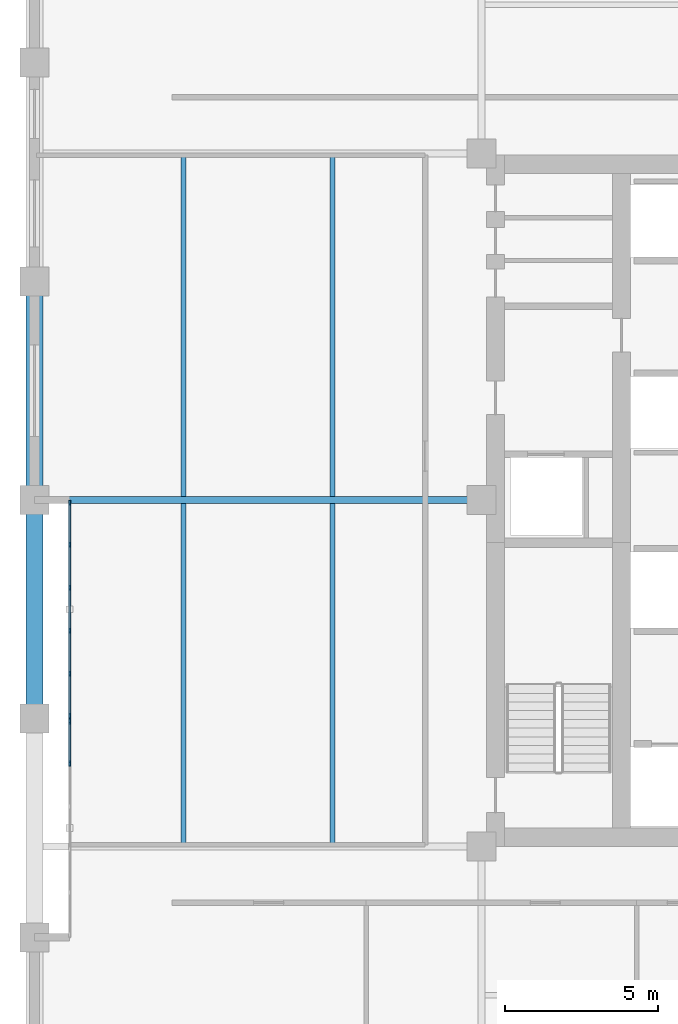
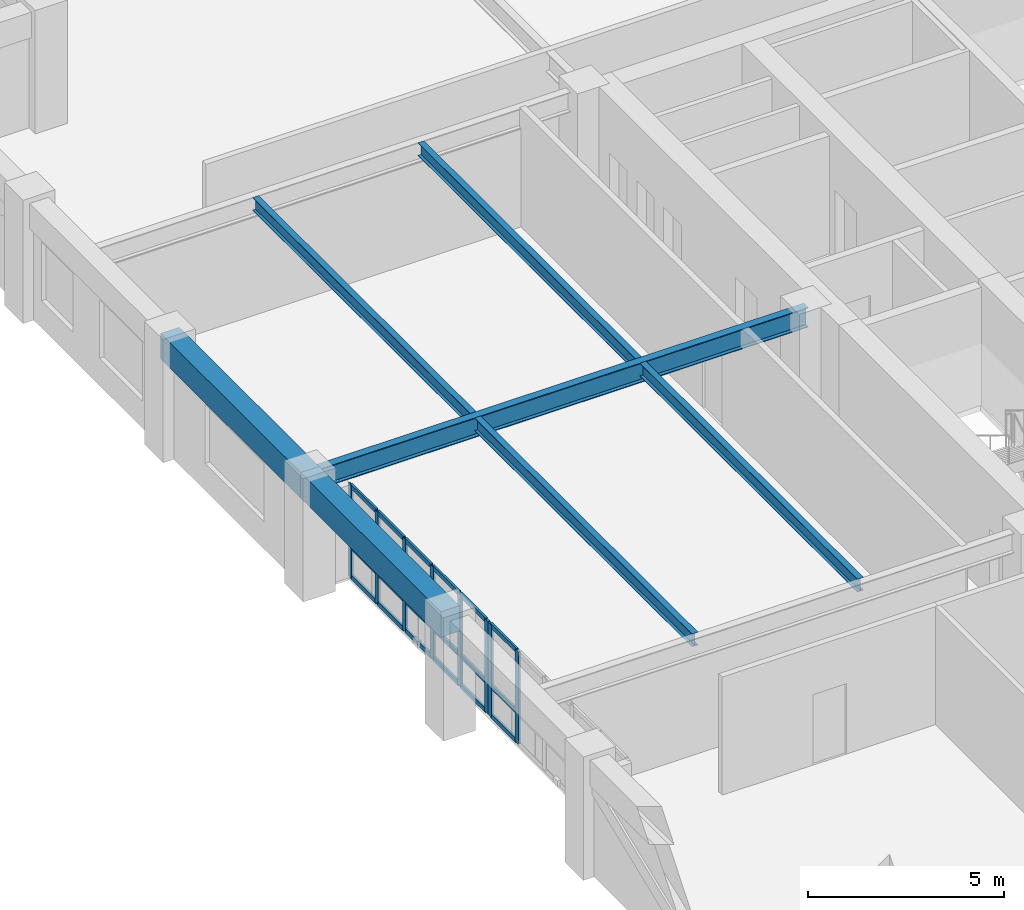
# One storey, part 4 of 12: 26 members, 7 beams, 2 elements without a shape of their own.
"""IFC4 building model written with IfcOpenShell, lengths in metres."""

from ifc_helpers import new_model, si_unit, direction, frame, origin, origin_2d, place, context, subcontext, project, spatial, rectangle, i_section, extrude, material, layer, layer_set, material_profile, profile_set, type_object, element, aggregate, save


model = new_model("IFC4")

# Units and contexts
model_context = context("Model", 3, precision=1e-05, world=origin(), true_north=direction((0.0, 1.0)))
body_context = subcontext(model_context, "Body", "Model", "MODEL_VIEW")
ifc_project = project(units=[si_unit("LENGTHUNIT", "METRE"), si_unit("AREAUNIT", "SQUARE_METRE"), si_unit("VOLUMEUNIT", "CUBIC_METRE"), si_unit("PLANEANGLEUNIT", "RADIAN"), si_unit("MASSUNIT", "GRAM", prefix="KILO")], contexts=[model_context])

# Site, building, storey
site_placement = place(None, origin())
site = spatial("IfcSite", under=ifc_project, at=site_placement, CompositionType="ELEMENT")
building_placement = place(site_placement, origin())
building = spatial("IfcBuilding", under=site, at=building_placement, Name="Nhamokura Convention Tower", CompositionType="ELEMENT")
storey_placement = place(building_placement, frame((0.0, 0.0, 164.5)))
storey = spatial("IfcBuildingStorey", under=building, at=storey_placement, Name="L40", CompositionType="ELEMENT", Elevation=164.5)

# Curtain wall, members
ifc_material_1 = material(Name="Anodised bronze aluminium AA6063-T6", Category="aluminium")
ifc_layer = layer(ifc_material_1, 0.159912109375)
ifc_layer_set = layer_set([ifc_layer], Name="CWSystem_ScaleSlot_Zone2")
curtain_wall_type = type_object("IfcCurtainWallType", Name="CWSystem_ScaleSlot_Zone2", PredefinedType="NOTDEFINED", material=ifc_layer_set)
curtain_wall_1_placement = place(storey_placement, origin())
curtain_wall_1 = element("IfcCurtainWall", 1, at=curtain_wall_1_placement, inside=storey, type_object=curtain_wall_type, Name="L40 Curtain Wall ENV-L40-SLOT-W1", PredefinedType="NOTDEFINED")
ifc_material_2 = material(Name="Anodised bronze aluminium AA6063-T6", Category="aluminium")
ifc_material_profile_1 = material_profile(ifc_material_2, rectangle(XDim=0.06494140625, YDim=0.1650390625, at=origin_2d()))
ifc_profile_set_1 = profile_set([ifc_material_profile_1], Name="Anodised bronze aluminium AA6063-T6")
member_type_1 = type_object("IfcMemberType", Name="CWMullion_3", PredefinedType="MULLION", material=ifc_profile_set_1)
member_1_placement = place(storey_placement, frame((7.14990234375, 23.364013671875, 0.0), z_axis=(0.0, 0.0, 1.0), x_axis=(-1.0, 0.0, 0.0)))
member_1 = element("IfcMember", 2, at=member_1_placement, type_object=member_type_1, Name="CW-04 mullion 5", PredefinedType="MULLION", context=body_context, shape_type="SweptSolid", body=[
    extrude(rectangle(XDim=0.06494140625, YDim=0.1650390625, at=origin_2d()), origin(), (0.0, 0.0, 1.0), 2.885009765625),
])
member_2_placement = place(storey_placement, frame((7.14990234375, 24.74072265625, 0.0), z_axis=(0.0, 0.0, 1.0), x_axis=(-1.0, 0.0, 0.0)))
member_2 = element("IfcMember", 3, at=member_2_placement, type_object=member_type_1, Name="CW-04 mullion 6", PredefinedType="MULLION", context=body_context, shape_type="SweptSolid", body=[
    extrude(rectangle(XDim=0.06494140625, YDim=0.1650390625, at=origin_2d()), origin(), (0.0, 0.0, 1.0), 2.885009765625),
])

curtain_wall_2_placement = place(storey_placement, origin())
curtain_wall_2 = element("IfcCurtainWall", 4, at=curtain_wall_2_placement, inside=storey, type_object=curtain_wall_type, Name="L40 Curtain Wall ENV-L40-SLOT-W2", PredefinedType="NOTDEFINED")
member_3_placement = place(storey_placement, frame((7.14990234375, 24.92578125, 0.0), z_axis=(0.0, 0.0, 1.0), x_axis=(-1.0, 0.0, 0.0)))
member_3 = element("IfcMember", 5, at=member_3_placement, type_object=member_type_1, Name="CW-04 mullion 1", PredefinedType="MULLION", context=body_context, shape_type="SweptSolid", body=[
    extrude(rectangle(XDim=0.06494140625, YDim=0.1650390625, at=origin_2d()), origin(), (0.0, 0.0, 1.0), 2.885009765625),
])
member_4_placement = place(storey_placement, frame((7.14990234375, 26.302734375, 0.0), z_axis=(0.0, 0.0, 1.0), x_axis=(-1.0, 0.0, 0.0)))
member_4 = element("IfcMember", 6, at=member_4_placement, type_object=member_type_1, Name="CW-04 mullion 2", PredefinedType="MULLION", context=body_context, shape_type="SweptSolid", body=[
    extrude(rectangle(XDim=0.06494140625, YDim=0.1650390625, at=origin_2d()), origin(), (0.0, 0.0, 1.0), 2.885009765625),
])
member_5_placement = place(storey_placement, frame((7.14990234375, 27.7119140625, 0.0), z_axis=(0.0, 0.0, 1.0), x_axis=(-1.0, 0.0, 0.0)))
member_5 = element("IfcMember", 7, at=member_5_placement, type_object=member_type_1, Name="CW-04 mullion 3", PredefinedType="MULLION", context=body_context, shape_type="SweptSolid", body=[
    extrude(rectangle(XDim=0.06494140625, YDim=0.1650390625, at=origin_2d()), origin(), (0.0, 0.0, 1.0), 2.885009765625),
])
member_6_placement = place(storey_placement, frame((7.14990234375, 29.121337890625, 0.0), z_axis=(0.0, 0.0, 1.0), x_axis=(-1.0, 0.0, 0.0)))
member_6 = element("IfcMember", 8, at=member_6_placement, type_object=member_type_1, Name="CW-04 mullion 4", PredefinedType="MULLION", context=body_context, shape_type="SweptSolid", body=[
    extrude(rectangle(XDim=0.06494140625, YDim=0.1650390625, at=origin_2d()), origin(), (0.0, 0.0, 1.0), 2.885009765625),
])
member_7_placement = place(storey_placement, frame((7.14990234375, 30.53076171875, 0.0), z_axis=(0.0, 0.0, 1.0), x_axis=(-1.0, 0.0, 0.0)))
member_7 = element("IfcMember", 9, at=member_7_placement, type_object=member_type_1, Name="CW-04 mullion 5", PredefinedType="MULLION", context=body_context, shape_type="SweptSolid", body=[
    extrude(rectangle(XDim=0.06494140625, YDim=0.1650390625, at=origin_2d()), origin(), (0.0, 0.0, 1.0), 2.885009765625),
])
member_8_placement = place(storey_placement, frame((7.14990234375, 31.907470703125, 0.0), z_axis=(0.0, 0.0, 1.0), x_axis=(-1.0, 0.0, 0.0)))
member_8 = element("IfcMember", 10, at=member_8_placement, type_object=member_type_1, Name="CW-04 mullion 6", PredefinedType="MULLION", context=body_context, shape_type="SweptSolid", body=[
    extrude(rectangle(XDim=0.06494140625, YDim=0.1650390625, at=origin_2d()), origin(), (0.0, 0.0, 1.0), 2.885009765625),
])

# Member
ifc_material_3 = material(Name="Anodised bronze aluminium AA6063-T6", Category="aluminium")
ifc_material_profile_2 = material_profile(ifc_material_3, rectangle(XDim=0.06494140625, YDim=0.139892578125, at=origin_2d()))
ifc_profile_set_2 = profile_set([ifc_material_profile_2], Name="Anodised bronze aluminium AA6063-T6")
member_type_2 = type_object("IfcMemberType", Name="CWTransom_3", PredefinedType="USERDEFINED", material=ifc_profile_set_2)
member_9_placement = place(storey_placement, frame((7.14990234375, 23.396484375, 0.032470703125), z_axis=(0.0, 1.0, 0.0), x_axis=(-1.0, 0.0, 0.0)))
member_9 = element("IfcMember", 11, at=member_9_placement, type_object=member_type_2, Name="CW-04 transom 5.1", ObjectType="TRANSOM", PredefinedType="USERDEFINED", context=body_context, shape_type="SweptSolid", body=[
    extrude(rectangle(XDim=0.06494140625, YDim=0.139892578125, at=origin_2d()), origin(), (0.0, 0.0, 1.0), 1.311767578125),
])

member_10_placement = place(storey_placement, frame((7.14990234375, 23.396484375, 0.949951171875), z_axis=(0.0, 1.0, 0.0), x_axis=(-1.0, 0.0, 0.0)))
member_10 = element("IfcMember", 12, at=member_10_placement, type_object=member_type_2, Name="CW-04 transom 5.2", ObjectType="TRANSOM", PredefinedType="USERDEFINED", context=body_context, shape_type="SweptSolid", body=[
    extrude(rectangle(XDim=0.06494140625, YDim=0.139892578125, at=origin_2d()), origin(), (0.0, 0.0, 1.0), 1.311767578125),
])

member_11_placement = place(storey_placement, frame((7.14990234375, 23.396484375, 2.8525390625), z_axis=(0.0, 1.0, 0.0), x_axis=(-1.0, 0.0, 0.0)))
member_11 = element("IfcMember", 13, at=member_11_placement, type_object=member_type_2, Name="CW-04 transom 5.3", ObjectType="TRANSOM", PredefinedType="USERDEFINED", context=body_context, shape_type="SweptSolid", body=[
    extrude(rectangle(XDim=0.06494140625, YDim=0.139892578125, at=origin_2d()), origin(), (0.0, 0.0, 1.0), 1.311767578125),
])

aggregate(curtain_wall_1, [member_1, member_2, member_9, member_10, member_11])

member_12_placement = place(storey_placement, frame((7.14990234375, 24.958251953125, 0.032470703125), z_axis=(0.0, 1.0, 0.0), x_axis=(-1.0, 0.0, 0.0)))
member_12 = element("IfcMember", 14, at=member_12_placement, type_object=member_type_2, Name="CW-04 transom 1.1", ObjectType="TRANSOM", PredefinedType="USERDEFINED", context=body_context, shape_type="SweptSolid", body=[
    extrude(rectangle(XDim=0.06494140625, YDim=0.139892578125, at=origin_2d()), origin(), (0.0, 0.0, 1.0), 1.311767578125),
])

member_13_placement = place(storey_placement, frame((7.14990234375, 24.958251953125, 0.949951171875), z_axis=(0.0, 1.0, 0.0), x_axis=(-1.0, 0.0, 0.0)))
member_13 = element("IfcMember", 15, at=member_13_placement, type_object=member_type_2, Name="CW-04 transom 1.2", ObjectType="TRANSOM", PredefinedType="USERDEFINED", context=body_context, shape_type="SweptSolid", body=[
    extrude(rectangle(XDim=0.06494140625, YDim=0.139892578125, at=origin_2d()), origin(), (0.0, 0.0, 1.0), 1.311767578125),
])

member_14_placement = place(storey_placement, frame((7.14990234375, 24.958251953125, 2.8525390625), z_axis=(0.0, 1.0, 0.0), x_axis=(-1.0, 0.0, 0.0)))
member_14 = element("IfcMember", 16, at=member_14_placement, type_object=member_type_2, Name="CW-04 transom 1.3", ObjectType="TRANSOM", PredefinedType="USERDEFINED", context=body_context, shape_type="SweptSolid", body=[
    extrude(rectangle(XDim=0.06494140625, YDim=0.139892578125, at=origin_2d()), origin(), (0.0, 0.0, 1.0), 1.311767578125),
])

member_15_placement = place(storey_placement, frame((7.14990234375, 26.335205078125, 0.032470703125), z_axis=(0.0, 1.0, 0.0), x_axis=(-1.0, 0.0, 0.0)))
member_15 = element("IfcMember", 17, at=member_15_placement, type_object=member_type_2, Name="CW-04 transom 2.1", ObjectType="TRANSOM", PredefinedType="USERDEFINED", context=body_context, shape_type="SweptSolid", body=[
    extrude(rectangle(XDim=0.06494140625, YDim=0.139892578125, at=origin_2d()), origin(), (0.0, 0.0, 1.0), 1.34423828125),
])

member_16_placement = place(storey_placement, frame((7.14990234375, 26.335205078125, 0.949951171875), z_axis=(0.0, 1.0, 0.0), x_axis=(-1.0, 0.0, 0.0)))
member_16 = element("IfcMember", 18, at=member_16_placement, type_object=member_type_2, Name="CW-04 transom 2.2", ObjectType="TRANSOM", PredefinedType="USERDEFINED", context=body_context, shape_type="SweptSolid", body=[
    extrude(rectangle(XDim=0.06494140625, YDim=0.139892578125, at=origin_2d()), origin(), (0.0, 0.0, 1.0), 1.34423828125),
])

member_17_placement = place(storey_placement, frame((7.14990234375, 26.335205078125, 2.8525390625), z_axis=(0.0, 1.0, 0.0), x_axis=(-1.0, 0.0, 0.0)))
member_17 = element("IfcMember", 19, at=member_17_placement, type_object=member_type_2, Name="CW-04 transom 2.3", ObjectType="TRANSOM", PredefinedType="USERDEFINED", context=body_context, shape_type="SweptSolid", body=[
    extrude(rectangle(XDim=0.06494140625, YDim=0.139892578125, at=origin_2d()), origin(), (0.0, 0.0, 1.0), 1.34423828125),
])

member_18_placement = place(storey_placement, frame((7.14990234375, 27.744384765625, 0.032470703125), z_axis=(0.0, 1.0, 0.0), x_axis=(-1.0, 0.0, 0.0)))
member_18 = element("IfcMember", 20, at=member_18_placement, type_object=member_type_2, Name="CW-04 transom 3.1", ObjectType="TRANSOM", PredefinedType="USERDEFINED", context=body_context, shape_type="SweptSolid", body=[
    extrude(rectangle(XDim=0.06494140625, YDim=0.139892578125, at=origin_2d()), origin(), (0.0, 0.0, 1.0), 1.344482421875),
])

member_19_placement = place(storey_placement, frame((7.14990234375, 27.744384765625, 0.949951171875), z_axis=(0.0, 1.0, 0.0), x_axis=(-1.0, 0.0, 0.0)))
member_19 = element("IfcMember", 21, at=member_19_placement, type_object=member_type_2, Name="CW-04 transom 3.2", ObjectType="TRANSOM", PredefinedType="USERDEFINED", context=body_context, shape_type="SweptSolid", body=[
    extrude(rectangle(XDim=0.06494140625, YDim=0.139892578125, at=origin_2d()), origin(), (0.0, 0.0, 1.0), 1.344482421875),
])

member_20_placement = place(storey_placement, frame((7.14990234375, 27.744384765625, 2.8525390625), z_axis=(0.0, 1.0, 0.0), x_axis=(-1.0, 0.0, 0.0)))
member_20 = element("IfcMember", 22, at=member_20_placement, type_object=member_type_2, Name="CW-04 transom 3.3", ObjectType="TRANSOM", PredefinedType="USERDEFINED", context=body_context, shape_type="SweptSolid", body=[
    extrude(rectangle(XDim=0.06494140625, YDim=0.139892578125, at=origin_2d()), origin(), (0.0, 0.0, 1.0), 1.344482421875),
])

member_21_placement = place(storey_placement, frame((7.14990234375, 29.15380859375, 0.032470703125), z_axis=(0.0, 1.0, 0.0), x_axis=(-1.0, 0.0, 0.0)))
member_21 = element("IfcMember", 23, at=member_21_placement, type_object=member_type_2, Name="CW-04 transom 4.1", ObjectType="TRANSOM", PredefinedType="USERDEFINED", context=body_context, shape_type="SweptSolid", body=[
    extrude(rectangle(XDim=0.06494140625, YDim=0.139892578125, at=origin_2d()), origin(), (0.0, 0.0, 1.0), 1.34423828125),
])

member_22_placement = place(storey_placement, frame((7.14990234375, 29.15380859375, 0.949951171875), z_axis=(0.0, 1.0, 0.0), x_axis=(-1.0, 0.0, 0.0)))
member_22 = element("IfcMember", 24, at=member_22_placement, type_object=member_type_2, Name="CW-04 transom 4.2", ObjectType="TRANSOM", PredefinedType="USERDEFINED", context=body_context, shape_type="SweptSolid", body=[
    extrude(rectangle(XDim=0.06494140625, YDim=0.139892578125, at=origin_2d()), origin(), (0.0, 0.0, 1.0), 1.34423828125),
])

member_23_placement = place(storey_placement, frame((7.14990234375, 29.15380859375, 2.8525390625), z_axis=(0.0, 1.0, 0.0), x_axis=(-1.0, 0.0, 0.0)))
member_23 = element("IfcMember", 25, at=member_23_placement, type_object=member_type_2, Name="CW-04 transom 4.3", ObjectType="TRANSOM", PredefinedType="USERDEFINED", context=body_context, shape_type="SweptSolid", body=[
    extrude(rectangle(XDim=0.06494140625, YDim=0.139892578125, at=origin_2d()), origin(), (0.0, 0.0, 1.0), 1.34423828125),
])

member_24_placement = place(storey_placement, frame((7.14990234375, 30.563232421875, 0.032470703125), z_axis=(0.0, 1.0, 0.0), x_axis=(-1.0, 0.0, 0.0)))
member_24 = element("IfcMember", 26, at=member_24_placement, type_object=member_type_2, Name="CW-04 transom 5.1", ObjectType="TRANSOM", PredefinedType="USERDEFINED", context=body_context, shape_type="SweptSolid", body=[
    extrude(rectangle(XDim=0.06494140625, YDim=0.139892578125, at=origin_2d()), origin(), (0.0, 0.0, 1.0), 1.311767578125),
])

member_25_placement = place(storey_placement, frame((7.14990234375, 30.563232421875, 0.949951171875), z_axis=(0.0, 1.0, 0.0), x_axis=(-1.0, 0.0, 0.0)))
member_25 = element("IfcMember", 27, at=member_25_placement, type_object=member_type_2, Name="CW-04 transom 5.2", ObjectType="TRANSOM", PredefinedType="USERDEFINED", context=body_context, shape_type="SweptSolid", body=[
    extrude(rectangle(XDim=0.06494140625, YDim=0.139892578125, at=origin_2d()), origin(), (0.0, 0.0, 1.0), 1.311767578125),
])

member_26_placement = place(storey_placement, frame((7.14990234375, 30.563232421875, 2.8525390625), z_axis=(0.0, 1.0, 0.0), x_axis=(-1.0, 0.0, 0.0)))
member_26 = element("IfcMember", 28, at=member_26_placement, type_object=member_type_2, Name="CW-04 transom 5.3", ObjectType="TRANSOM", PredefinedType="USERDEFINED", context=body_context, shape_type="SweptSolid", body=[
    extrude(rectangle(XDim=0.06494140625, YDim=0.139892578125, at=origin_2d()), origin(), (0.0, 0.0, 1.0), 1.311767578125),
])

aggregate(curtain_wall_2, [member_3, member_4, member_5, member_6, member_7, member_8, member_12, member_13, member_14, member_15, member_16, member_17, member_18, member_19, member_20, member_21, member_22, member_23, member_24, member_25, member_26])

# Beams
ifc_material_4 = material(Name="Steel ASTM A992 Gr 50", Category="steel")
ifc_material_profile_3 = material_profile(ifc_material_4, i_section(OverallWidth=0.177001953125, OverallDepth=0.403076171875, WebThickness=0.007568359375, FlangeThickness=0.010986328125, at=origin_2d()))
ifc_profile_set_3 = profile_set([ifc_material_profile_3], Name="Steel ASTM A992 Gr 50")
beam_type_1 = type_object("IfcBeamType", Name="FloorJoist_W410X53", PredefinedType="JOIST", material=ifc_profile_set_3)
for number, where, z_axis, x_axis, name in (
    (29, (10.88330078125, 20.762939453125, 3.4833984375), (0.0, 1.0, 0.0), (-1.0, 0.0, 0.0), "L40 Composite Floor Joist W1A"),
    (30, (10.88330078125, 32.113037109375, 3.4833984375), (0.0, 1.0, 0.0), (-1.0, 0.0, 0.0), "L40 Composite Floor Joist W1B"),
    (31, (15.7666015625, 20.762939453125, 3.4833984375), (0.0, 1.0, 0.0), (-1.0, 0.0, 0.0), "L40 Composite Floor Joist W2A"),
    (32, (15.7666015625, 32.113037109375, 3.4833984375), (0.0, 1.0, 0.0), (-1.0, 0.0, 0.0), "L40 Composite Floor Joist W2B"),
):
    element("IfcBeam", number, at=place(storey_placement, frame(where, z_axis=z_axis, x_axis=x_axis)), inside=storey, type_object=beam_type_1, Name=name, PredefinedType="JOIST", context=body_context, shape_type="SweptSolid", body=[
        extrude(i_section(OverallWidth=0.177001953125, OverallDepth=0.403076171875, WebThickness=0.007568359375, FlangeThickness=0.010986328125, at=origin_2d()), origin(), (0.0, 0.0, 1.0), 11.1240234375),
    ])
ifc_material_5 = material(Name="Steel ASTM A992 Gr 50", Category="steel")
ifc_material_profile_4 = material_profile(ifc_material_5, i_section(OverallWidth=0.22998046875, OverallDepth=0.616943359375, WebThickness=0.01318359375, FlangeThickness=0.022216796875, at=origin_2d()))
ifc_profile_set_4 = profile_set([ifc_material_profile_4], Name="Steel ASTM A992 Gr 50")
beam_type_2 = type_object("IfcBeamType", Name="PrimaryGirder_W610X140", PredefinedType="BEAM", material=ifc_profile_set_4)
beam_placement = place(storey_placement, frame((6.0, 32.0, 3.37646484375), z_axis=(1.0, 0.0, 0.0), x_axis=(0.0, 1.0, 0.0)))
element("IfcBeam", 33, at=beam_placement, inside=storey, type_object=beam_type_2, Name="L40 Primary Floor Girder PG-W2", PredefinedType="BEAM", context=body_context, shape_type="SweptSolid", body=[
    extrude(i_section(OverallWidth=0.22998046875, OverallDepth=0.616943359375, WebThickness=0.01318359375, FlangeThickness=0.022216796875, at=origin_2d()), origin(), (0.0, 0.0, 1.0), 14.64990234375),
])
ifc_material_6 = material(Name="Concrete C50/60", Category="concrete")
ifc_material_profile_5 = material_profile(ifc_material_6, rectangle(XDim=0.550048828125, YDim=0.800048828125, at=origin_2d()))
ifc_profile_set_5 = profile_set([ifc_material_profile_5], Name="Concrete C50/60")
beam_type_3 = type_object("IfcBeamType", Name="TubeSpandrel_800", PredefinedType="SPANDREL", material=ifc_profile_set_5)
for number, where, z_axis, x_axis, name in (
    (34, (6.0, 24.833251953125, 3.284912109375), (0.0, 1.0, 0.0), (-1.0, 0.0, 0.0), "L40 Perimeter Spandrel WEST 3"),
    (35, (6.0, 32.0, 3.284912109375), (0.0, 1.0, 0.0), (-1.0, 0.0, 0.0), "L40 Perimeter Spandrel WEST 4"),
):
    element("IfcBeam", number, at=place(storey_placement, frame(where, z_axis=z_axis, x_axis=x_axis)), inside=storey, type_object=beam_type_3, Name=name, PredefinedType="SPANDREL", context=body_context, shape_type="SweptSolid", body=[
        extrude(rectangle(XDim=0.550048828125, YDim=0.800048828125, at=origin_2d()), origin(), (0.0, 0.0, 1.0), 7.166748046875),
    ])

save(model, "model.ifc")
